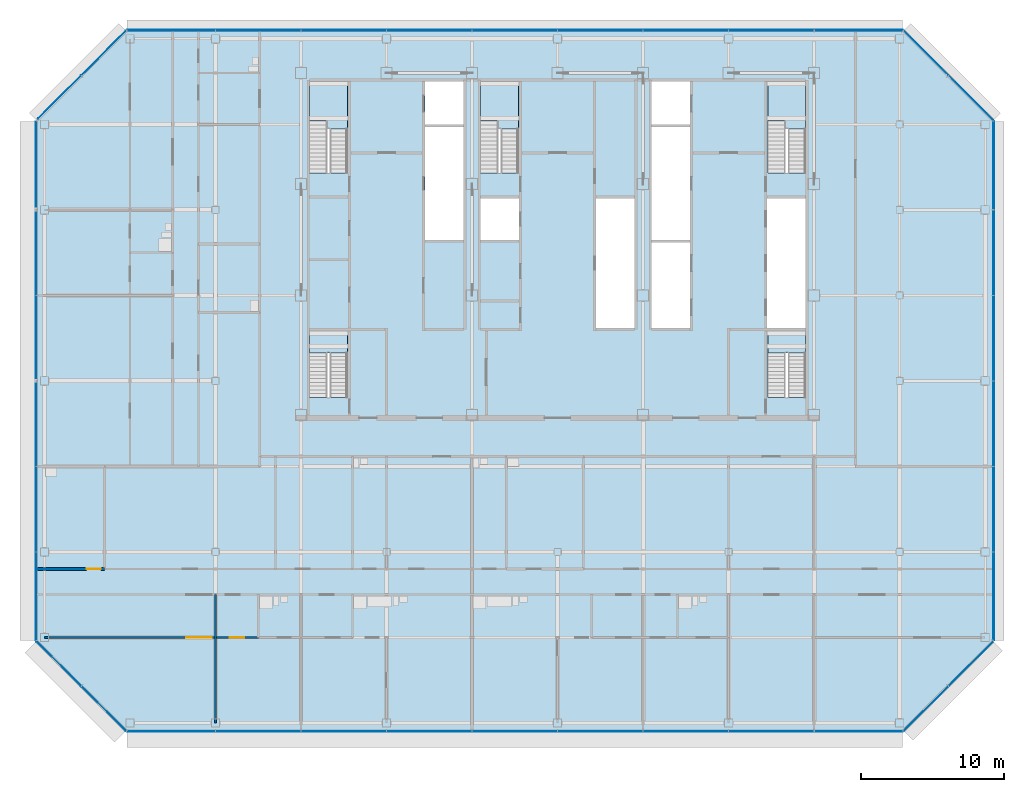
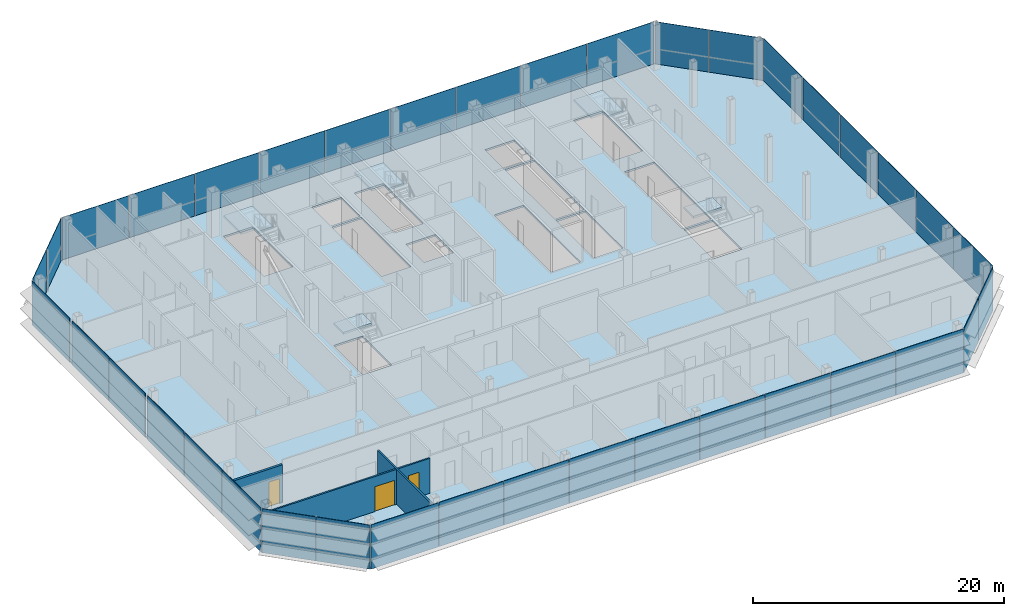
# One storey, part 20 of 29: 38 plates, 6 slabs, 3 doors, 3 walls, 3 openings, 13 elements without a shape of their own.
"""IFC4 building model written with IfcOpenShell, lengths in metres."""

from ifc_helpers import new_model, si_unit, direction, frame, frame_2d, origin, origin_2d, place, context, subcontext, project, spatial, polyline, rectangle, outline, extrude, material, layer, layer_set, type_object, element, fill, aggregate, save


model = new_model("IFC4")

# Units and contexts
model_context = context("Model", 3, precision=1e-05, world=origin(), true_north=direction((0.0, 1.0)))
body_context = subcontext(model_context, "Body", "Model", "MODEL_VIEW")
ifc_project = project(units=[si_unit("LENGTHUNIT", "METRE"), si_unit("AREAUNIT", "SQUARE_METRE"), si_unit("VOLUMEUNIT", "CUBIC_METRE"), si_unit("PLANEANGLEUNIT", "RADIAN"), si_unit("MASSUNIT", "GRAM", prefix="KILO")], contexts=[model_context])

# Site, building, storey
site_placement = place(None, origin())
site = spatial("IfcSite", under=ifc_project, at=site_placement, CompositionType="ELEMENT")
building_placement = place(site_placement, origin())
building = spatial("IfcBuilding", under=site, at=building_placement, Name="Sorahane Residences", CompositionType="ELEMENT")
storey_placement = place(building_placement, frame((0.0, 0.0, 277.39990234375)))
storey = spatial("IfcBuildingStorey", under=building, at=storey_placement, Name="L66", CompositionType="ELEMENT", Elevation=277.39990234375)

# Slab
ifc_material_1 = material(Name="Concrete C35", Category="concrete")
ifc_layer_1 = layer(ifc_material_1, 0.179931640625)
ifc_layer_set_1 = layer_set([ifc_layer_1], Name="Composite floor slab 180 mm Concrete C35")
slab_type_1 = type_object("IfcSlabType", Name="Composite floor slab 180 mm Concrete C35", PredefinedType="FLOOR", material=ifc_layer_set_1)
slab_1_placement = place(storey_placement, frame((0.0, 0.0, -0.179931640625)))
element("IfcSlab", 1, at=slab_1_placement, inside=storey, type_object=slab_type_1, Name="Slab L66", PredefinedType="FLOOR", context=body_context, shape_type="SweptSolid", body=[
    extrude(outline(polyline([(-6.24853515625, -0.60009765625), (-12.60009765625, 5.75146484375), (-12.60009765625, 42.24853515625), (-6.24853515625, 48.60009765625), (48.24853515625, 48.60009765625), (54.60009765625, 42.24853515625), (54.60009765625, 5.75146484375), (48.24853515625, -0.60009765625), (-6.24853515625, -0.60009765625)]), holes=[polyline([(38.699951171875, 27.699951171875), (41.39990234375, 27.699951171875), (41.39990234375, 36.800048828125), (38.699951171875, 36.800048828125), (38.699951171875, 27.699951171875)]), polyline([(30.60009765625, 27.699951171875), (33.300048828125, 27.699951171875), (33.300048828125, 33.699951171875), (30.60009765625, 33.699951171875), (30.60009765625, 27.699951171875)]), polyline([(30.60009765625, 42.0), (33.300048828125, 42.0), (33.300048828125, 45.0), (30.60009765625, 45.0), (30.60009765625, 42.0)]), polyline([(14.699951171875, 42.0), (17.39990234375, 42.0), (17.39990234375, 45.0), (14.699951171875, 45.0), (14.699951171875, 42.0)]), polyline([(9.25, 38.60009765625), (9.25, 45.0), (6.60009765625, 45.0), (6.60009765625, 38.60009765625), (9.25, 38.60009765625)]), polyline([(41.39990234375, 38.60009765625), (41.39990234375, 45.0), (38.75, 45.0), (38.75, 38.60009765625), (41.39990234375, 38.60009765625)]), polyline([(21.25, 38.60009765625), (21.25, 45.0), (18.60009765625, 45.0), (18.60009765625, 38.60009765625), (21.25, 38.60009765625)]), polyline([(9.25, 22.85009765625), (9.25, 27.5), (6.60009765625, 27.5), (6.60009765625, 22.85009765625), (9.25, 22.85009765625)]), polyline([(41.39990234375, 22.85009765625), (41.39990234375, 27.5), (38.75, 27.5), (38.75, 22.85009765625), (41.39990234375, 22.85009765625)]), polyline([(14.699951171875, 33.89990234375), (17.39990234375, 33.89990234375), (17.39990234375, 41.800048828125), (14.699951171875, 41.800048828125), (14.699951171875, 33.89990234375)]), polyline([(30.60009765625, 33.89990234375), (33.300048828125, 33.89990234375), (33.300048828125, 41.800048828125), (30.60009765625, 41.800048828125), (30.60009765625, 33.89990234375)]), polyline([(18.60009765625, 33.89990234375), (21.300048828125, 33.89990234375), (21.300048828125, 36.800048828125), (18.60009765625, 36.800048828125), (18.60009765625, 33.89990234375)]), polyline([(26.699951171875, 27.699951171875), (29.39990234375, 27.699951171875), (29.39990234375, 36.800048828125), (26.699951171875, 36.800048828125), (26.699951171875, 27.699951171875)])]), origin(), (0.0, 0.0, 1.0), 0.179931640625),
])

# Curtain wall, plates
ifc_material_2 = material(Name="Dark low-e glass and black anodised aluminium", Category="aluminium")
curtain_wall_type_1 = type_object("IfcCurtainWallType", Name="Curtain wall CW-1 Typical unitised wall", PredefinedType="NOTDEFINED", material=ifc_material_2)
curtain_wall_1_placement = place(storey_placement, origin())
curtain_wall_1 = element("IfcCurtainWall", 2, at=curtain_wall_1_placement, inside=storey, type_object=curtain_wall_type_1, Name="CW-1 curtain wall L66 S1", PredefinedType="NOTDEFINED")
ifc_material_3 = material(Name="Dark low-e glass with black ceramic frit", Category="glass")
ifc_layer_2 = layer(ifc_material_3, 0.0400390625)
ifc_layer_set_2 = layer_set([ifc_layer_2], Name="Curtain wall glass panel dark low-e with black frit spandrel band")
plate_type = type_object("IfcPlateType", Name="Curtain wall glass panel dark low-e with black frit spandrel band", PredefinedType="CURTAIN_PANEL", material=ifc_layer_set_2)
plate_1_placement = place(storey_placement, frame((-3.11181640625, -0.60009765625, -0.1796875), z_axis=(0.0, 0.0, 1.0), x_axis=(1.0, 0.0, 0.0)))
plate_1 = element("IfcPlate", 3, at=plate_1_placement, type_object=plate_type, Name="CW-1 glass panel L66 S1.1", PredefinedType="CURTAIN_PANEL", context=body_context, shape_type="SweptSolid", body=[
    extrude(rectangle(XDim=6.173583984375, YDim=0.0400390625, at=origin_2d()), origin(), (0.0, 0.0, 1.0), 4.280029296875),
])
plate_2_placement = place(storey_placement, frame((3.0, -0.60009765625, -0.1796875), z_axis=(0.0, 0.0, 1.0), x_axis=(1.0, 0.0, 0.0)))
plate_2 = element("IfcPlate", 4, at=plate_2_placement, type_object=plate_type, Name="CW-1 glass panel L66 S1.2", PredefinedType="CURTAIN_PANEL", context=body_context, shape_type="SweptSolid", body=[
    extrude(rectangle(XDim=5.949951171875, YDim=0.0400390625, at=origin_2d()), origin(), (0.0, 0.0, 1.0), 4.280029296875),
])
plate_3_placement = place(storey_placement, frame((9.0, -0.60009765625, -0.1796875), z_axis=(0.0, 0.0, 1.0), x_axis=(1.0, 0.0, 0.0)))
plate_3 = element("IfcPlate", 5, at=plate_3_placement, type_object=plate_type, Name="CW-1 glass panel L66 S1.3", PredefinedType="CURTAIN_PANEL", context=body_context, shape_type="SweptSolid", body=[
    extrude(rectangle(XDim=5.949951171875, YDim=0.0400390625, at=origin_2d()), origin(), (0.0, 0.0, 1.0), 4.280029296875),
])
plate_4_placement = place(storey_placement, frame((15.0, -0.60009765625, -0.1796875), z_axis=(0.0, 0.0, 1.0), x_axis=(1.0, 0.0, 0.0)))
plate_4 = element("IfcPlate", 6, at=plate_4_placement, type_object=plate_type, Name="CW-1 glass panel L66 S1.4", PredefinedType="CURTAIN_PANEL", context=body_context, shape_type="SweptSolid", body=[
    extrude(rectangle(XDim=5.949951171875, YDim=0.0400390625, at=origin_2d()), origin(), (0.0, 0.0, 1.0), 4.280029296875),
])
plate_5_placement = place(storey_placement, frame((21.0, -0.60009765625, -0.1796875), z_axis=(0.0, 0.0, 1.0), x_axis=(1.0, 0.0, 0.0)))
plate_5 = element("IfcPlate", 7, at=plate_5_placement, type_object=plate_type, Name="CW-1 glass panel L66 S1.5", PredefinedType="CURTAIN_PANEL", context=body_context, shape_type="SweptSolid", body=[
    extrude(rectangle(XDim=5.949951171875, YDim=0.0400390625, at=origin_2d()), origin(), (0.0, 0.0, 1.0), 4.280029296875),
])
plate_6_placement = place(storey_placement, frame((27.0, -0.60009765625, -0.1796875), z_axis=(0.0, 0.0, 1.0), x_axis=(1.0, 0.0, 0.0)))
plate_6 = element("IfcPlate", 8, at=plate_6_placement, type_object=plate_type, Name="CW-1 glass panel L66 S1.6", PredefinedType="CURTAIN_PANEL", context=body_context, shape_type="SweptSolid", body=[
    extrude(rectangle(XDim=5.949951171875, YDim=0.0400390625, at=origin_2d()), origin(), (0.0, 0.0, 1.0), 4.280029296875),
])
plate_7_placement = place(storey_placement, frame((33.0, -0.60009765625, -0.1796875), z_axis=(0.0, 0.0, 1.0), x_axis=(1.0, 0.0, 0.0)))
plate_7 = element("IfcPlate", 9, at=plate_7_placement, type_object=plate_type, Name="CW-1 glass panel L66 S1.7", PredefinedType="CURTAIN_PANEL", context=body_context, shape_type="SweptSolid", body=[
    extrude(rectangle(XDim=5.949951171875, YDim=0.0400390625, at=origin_2d()), origin(), (0.0, 0.0, 1.0), 4.280029296875),
])
plate_8_placement = place(storey_placement, frame((39.0, -0.60009765625, -0.1796875), z_axis=(0.0, 0.0, 1.0), x_axis=(1.0, 0.0, 0.0)))
plate_8 = element("IfcPlate", 10, at=plate_8_placement, type_object=plate_type, Name="CW-1 glass panel L66 S1.8", PredefinedType="CURTAIN_PANEL", context=body_context, shape_type="SweptSolid", body=[
    extrude(rectangle(XDim=5.949951171875, YDim=0.0400390625, at=origin_2d()), origin(), (0.0, 0.0, 1.0), 4.280029296875),
])
plate_9_placement = place(storey_placement, frame((45.11181640625, -0.60009765625, -0.1796875), z_axis=(0.0, 0.0, 1.0), x_axis=(1.0, 0.0, 0.0)))
plate_9 = element("IfcPlate", 11, at=plate_9_placement, type_object=plate_type, Name="CW-1 glass panel L66 S1.9", PredefinedType="CURTAIN_PANEL", context=body_context, shape_type="SweptSolid", body=[
    extrude(rectangle(XDim=6.173583984375, YDim=0.0400390625, at=origin_2d()), origin(), (0.0, 0.0, 1.0), 4.280029296875),
])
aggregate(curtain_wall_1, [plate_1, plate_2, plate_3, plate_4, plate_5, plate_6, plate_7, plate_8, plate_9])

ifc_material_4 = material(Name="Dark low-e glass and black anodised aluminium", Category="aluminium")
curtain_wall_type_2 = type_object("IfcCurtainWallType", Name="Curtain wall CW-2 Chamfer unitised wall", PredefinedType="NOTDEFINED", material=ifc_material_4)
curtain_wall_2_placement = place(storey_placement, origin())
curtain_wall_2 = element("IfcCurtainWall", 12, at=curtain_wall_2_placement, inside=storey, type_object=curtain_wall_type_2, Name="CW-2 curtain wall L66 SE1", PredefinedType="NOTDEFINED")
plate_10_placement = place(storey_placement, frame((49.84521484375, 0.996826171875, -0.1796875), z_axis=(0.0, 0.0, 1.0), x_axis=(0.707106781187, 0.707106781187, 0.0)))
plate_10 = element("IfcPlate", 13, at=plate_10_placement, type_object=plate_type, Name="CW-2 glass panel L66 SE1.1", PredefinedType="CURTAIN_PANEL", context=body_context, shape_type="SweptSolid", body=[
    extrude(rectangle(XDim=4.416259765625, YDim=0.0400390625, at=origin_2d()), origin(), (0.0, 0.0, 1.0), 4.280029296875),
])
plate_11_placement = place(storey_placement, frame((53.003173828125, 4.15478515625, -0.1796875), z_axis=(0.0, 0.0, 1.0), x_axis=(0.707106781187, 0.707106781187, 0.0)))
plate_11 = element("IfcPlate", 14, at=plate_11_placement, type_object=plate_type, Name="CW-2 glass panel L66 SE1.2", PredefinedType="CURTAIN_PANEL", context=body_context, shape_type="SweptSolid", body=[
    extrude(rectangle(XDim=4.416259765625, YDim=0.0400390625, at=origin_2d()), origin(), (0.0, 0.0, 1.0), 4.280029296875),
])
aggregate(curtain_wall_2, [plate_10, plate_11])

curtain_wall_3_placement = place(storey_placement, origin())
curtain_wall_3 = element("IfcCurtainWall", 15, at=curtain_wall_3_placement, inside=storey, type_object=curtain_wall_type_1, Name="CW-1 curtain wall L66 E1", PredefinedType="NOTDEFINED")
plate_12_placement = place(storey_placement, frame((54.60009765625, 8.88818359375, -0.1796875), z_axis=(0.0, 0.0, 1.0), x_axis=(0.0, 1.0, 0.0)))
plate_12 = element("IfcPlate", 16, at=plate_12_placement, type_object=plate_type, Name="CW-1 glass panel L66 E1.1", PredefinedType="CURTAIN_PANEL", context=body_context, shape_type="SweptSolid", body=[
    extrude(rectangle(XDim=6.173583984375, YDim=0.0400390625, at=origin_2d()), origin(), (0.0, 0.0, 1.0), 4.280029296875),
])
plate_13_placement = place(storey_placement, frame((54.60009765625, 15.0, -0.1796875), z_axis=(0.0, 0.0, 1.0), x_axis=(0.0, 1.0, 0.0)))
plate_13 = element("IfcPlate", 17, at=plate_13_placement, type_object=plate_type, Name="CW-1 glass panel L66 E1.2", PredefinedType="CURTAIN_PANEL", context=body_context, shape_type="SweptSolid", body=[
    extrude(rectangle(XDim=5.949951171875, YDim=0.0400390625, at=origin_2d()), origin(), (0.0, 0.0, 1.0), 4.280029296875),
])
plate_14_placement = place(storey_placement, frame((54.60009765625, 21.0, -0.1796875), z_axis=(0.0, 0.0, 1.0), x_axis=(0.0, 1.0, 0.0)))
plate_14 = element("IfcPlate", 18, at=plate_14_placement, type_object=plate_type, Name="CW-1 glass panel L66 E1.3", PredefinedType="CURTAIN_PANEL", context=body_context, shape_type="SweptSolid", body=[
    extrude(rectangle(XDim=5.949951171875, YDim=0.0400390625, at=origin_2d()), origin(), (0.0, 0.0, 1.0), 4.280029296875),
])
plate_15_placement = place(storey_placement, frame((54.60009765625, 27.0, -0.1796875), z_axis=(0.0, 0.0, 1.0), x_axis=(0.0, 1.0, 0.0)))
plate_15 = element("IfcPlate", 19, at=plate_15_placement, type_object=plate_type, Name="CW-1 glass panel L66 E1.4", PredefinedType="CURTAIN_PANEL", context=body_context, shape_type="SweptSolid", body=[
    extrude(rectangle(XDim=5.949951171875, YDim=0.0400390625, at=origin_2d()), origin(), (0.0, 0.0, 1.0), 4.280029296875),
])
plate_16_placement = place(storey_placement, frame((54.60009765625, 33.0, -0.1796875), z_axis=(0.0, 0.0, 1.0), x_axis=(0.0, 1.0, 0.0)))
plate_16 = element("IfcPlate", 20, at=plate_16_placement, type_object=plate_type, Name="CW-1 glass panel L66 E1.5", PredefinedType="CURTAIN_PANEL", context=body_context, shape_type="SweptSolid", body=[
    extrude(rectangle(XDim=5.949951171875, YDim=0.0400390625, at=origin_2d()), origin(), (0.0, 0.0, 1.0), 4.280029296875),
])
plate_17_placement = place(storey_placement, frame((54.60009765625, 39.11181640625, -0.1796875), z_axis=(0.0, 0.0, 1.0), x_axis=(0.0, 1.0, 0.0)))
plate_17 = element("IfcPlate", 21, at=plate_17_placement, type_object=plate_type, Name="CW-1 glass panel L66 E1.6", PredefinedType="CURTAIN_PANEL", context=body_context, shape_type="SweptSolid", body=[
    extrude(rectangle(XDim=6.173583984375, YDim=0.0400390625, at=origin_2d()), origin(), (0.0, 0.0, 1.0), 4.280029296875),
])
aggregate(curtain_wall_3, [plate_12, plate_13, plate_14, plate_15, plate_16, plate_17])

curtain_wall_4_placement = place(storey_placement, origin())
curtain_wall_4 = element("IfcCurtainWall", 22, at=curtain_wall_4_placement, inside=storey, type_object=curtain_wall_type_2, Name="CW-2 curtain wall L66 NE1", PredefinedType="NOTDEFINED")
plate_18_placement = place(storey_placement, frame((53.003173828125, 43.84521484375, -0.1796875), z_axis=(0.0, 0.0, 1.0), x_axis=(-0.707106781187, 0.707106781187, 0.0)))
plate_18 = element("IfcPlate", 23, at=plate_18_placement, type_object=plate_type, Name="CW-2 glass panel L66 NE1.1", PredefinedType="CURTAIN_PANEL", context=body_context, shape_type="SweptSolid", body=[
    extrude(rectangle(XDim=4.416259765625, YDim=0.0400390625, at=origin_2d()), origin(), (0.0, 0.0, 1.0), 4.280029296875),
])
plate_19_placement = place(storey_placement, frame((49.84521484375, 47.003173828125, -0.1796875), z_axis=(0.0, 0.0, 1.0), x_axis=(-0.707106781187, 0.707106781187, 0.0)))
plate_19 = element("IfcPlate", 24, at=plate_19_placement, type_object=plate_type, Name="CW-2 glass panel L66 NE1.2", PredefinedType="CURTAIN_PANEL", context=body_context, shape_type="SweptSolid", body=[
    extrude(rectangle(XDim=4.416259765625, YDim=0.0400390625, at=origin_2d()), origin(), (0.0, 0.0, 1.0), 4.280029296875),
])
aggregate(curtain_wall_4, [plate_18, plate_19])

curtain_wall_5_placement = place(storey_placement, origin())
curtain_wall_5 = element("IfcCurtainWall", 25, at=curtain_wall_5_placement, inside=storey, type_object=curtain_wall_type_1, Name="CW-1 curtain wall L66 N1", PredefinedType="NOTDEFINED")
plate_20_placement = place(storey_placement, frame((45.11181640625, 48.60009765625, -0.1796875), z_axis=(0.0, 0.0, 1.0), x_axis=(-1.0, 0.0, 0.0)))
plate_20 = element("IfcPlate", 26, at=plate_20_placement, type_object=plate_type, Name="CW-1 glass panel L66 N1.1", PredefinedType="CURTAIN_PANEL", context=body_context, shape_type="SweptSolid", body=[
    extrude(rectangle(XDim=6.173583984375, YDim=0.0400390625, at=origin_2d()), origin(), (0.0, 0.0, 1.0), 4.280029296875),
])
plate_21_placement = place(storey_placement, frame((39.0, 48.60009765625, -0.1796875), z_axis=(0.0, 0.0, 1.0), x_axis=(-1.0, 0.0, 0.0)))
plate_21 = element("IfcPlate", 27, at=plate_21_placement, type_object=plate_type, Name="CW-1 glass panel L66 N1.2", PredefinedType="CURTAIN_PANEL", context=body_context, shape_type="SweptSolid", body=[
    extrude(rectangle(XDim=5.949951171875, YDim=0.0400390625, at=origin_2d()), origin(), (0.0, 0.0, 1.0), 4.280029296875),
])
plate_22_placement = place(storey_placement, frame((33.0, 48.60009765625, -0.1796875), z_axis=(0.0, 0.0, 1.0), x_axis=(-1.0, 0.0, 0.0)))
plate_22 = element("IfcPlate", 28, at=plate_22_placement, type_object=plate_type, Name="CW-1 glass panel L66 N1.3", PredefinedType="CURTAIN_PANEL", context=body_context, shape_type="SweptSolid", body=[
    extrude(rectangle(XDim=5.949951171875, YDim=0.0400390625, at=origin_2d()), origin(), (0.0, 0.0, 1.0), 4.280029296875),
])
plate_23_placement = place(storey_placement, frame((27.0, 48.60009765625, -0.1796875), z_axis=(0.0, 0.0, 1.0), x_axis=(-1.0, 0.0, 0.0)))
plate_23 = element("IfcPlate", 29, at=plate_23_placement, type_object=plate_type, Name="CW-1 glass panel L66 N1.4", PredefinedType="CURTAIN_PANEL", context=body_context, shape_type="SweptSolid", body=[
    extrude(rectangle(XDim=5.949951171875, YDim=0.0400390625, at=origin_2d()), origin(), (0.0, 0.0, 1.0), 4.280029296875),
])
plate_24_placement = place(storey_placement, frame((21.0, 48.60009765625, -0.1796875), z_axis=(0.0, 0.0, 1.0), x_axis=(-1.0, 0.0, 0.0)))
plate_24 = element("IfcPlate", 30, at=plate_24_placement, type_object=plate_type, Name="CW-1 glass panel L66 N1.5", PredefinedType="CURTAIN_PANEL", context=body_context, shape_type="SweptSolid", body=[
    extrude(rectangle(XDim=5.949951171875, YDim=0.0400390625, at=origin_2d()), origin(), (0.0, 0.0, 1.0), 4.280029296875),
])
plate_25_placement = place(storey_placement, frame((15.0, 48.60009765625, -0.1796875), z_axis=(0.0, 0.0, 1.0), x_axis=(-1.0, 0.0, 0.0)))
plate_25 = element("IfcPlate", 31, at=plate_25_placement, type_object=plate_type, Name="CW-1 glass panel L66 N1.6", PredefinedType="CURTAIN_PANEL", context=body_context, shape_type="SweptSolid", body=[
    extrude(rectangle(XDim=5.949951171875, YDim=0.0400390625, at=origin_2d()), origin(), (0.0, 0.0, 1.0), 4.280029296875),
])
plate_26_placement = place(storey_placement, frame((9.0, 48.60009765625, -0.1796875), z_axis=(0.0, 0.0, 1.0), x_axis=(-1.0, 0.0, 0.0)))
plate_26 = element("IfcPlate", 32, at=plate_26_placement, type_object=plate_type, Name="CW-1 glass panel L66 N1.7", PredefinedType="CURTAIN_PANEL", context=body_context, shape_type="SweptSolid", body=[
    extrude(rectangle(XDim=5.949951171875, YDim=0.0400390625, at=origin_2d()), origin(), (0.0, 0.0, 1.0), 4.280029296875),
])
plate_27_placement = place(storey_placement, frame((3.0, 48.60009765625, -0.1796875), z_axis=(0.0, 0.0, 1.0), x_axis=(-1.0, 0.0, 0.0)))
plate_27 = element("IfcPlate", 33, at=plate_27_placement, type_object=plate_type, Name="CW-1 glass panel L66 N1.8", PredefinedType="CURTAIN_PANEL", context=body_context, shape_type="SweptSolid", body=[
    extrude(rectangle(XDim=5.949951171875, YDim=0.0400390625, at=origin_2d()), origin(), (0.0, 0.0, 1.0), 4.280029296875),
])
plate_28_placement = place(storey_placement, frame((-3.11181640625, 48.60009765625, -0.1796875), z_axis=(0.0, 0.0, 1.0), x_axis=(-1.0, 0.0, 0.0)))
plate_28 = element("IfcPlate", 34, at=plate_28_placement, type_object=plate_type, Name="CW-1 glass panel L66 N1.9", PredefinedType="CURTAIN_PANEL", context=body_context, shape_type="SweptSolid", body=[
    extrude(rectangle(XDim=6.173583984375, YDim=0.0400390625, at=origin_2d()), origin(), (0.0, 0.0, 1.0), 4.280029296875),
])
aggregate(curtain_wall_5, [plate_20, plate_21, plate_22, plate_23, plate_24, plate_25, plate_26, plate_27, plate_28])

curtain_wall_6_placement = place(storey_placement, origin())
curtain_wall_6 = element("IfcCurtainWall", 35, at=curtain_wall_6_placement, inside=storey, type_object=curtain_wall_type_2, Name="CW-2 curtain wall L66 NW1", PredefinedType="NOTDEFINED")
plate_29_placement = place(storey_placement, frame((-7.84521484375, 47.003173828125, -0.1796875), z_axis=(0.0, 0.0, 1.0), x_axis=(-0.707106781187, -0.707106781187, 0.0)))
plate_29 = element("IfcPlate", 36, at=plate_29_placement, type_object=plate_type, Name="CW-2 glass panel L66 NW1.1", PredefinedType="CURTAIN_PANEL", context=body_context, shape_type="SweptSolid", body=[
    extrude(rectangle(XDim=4.416259765625, YDim=0.0400390625, at=origin_2d()), origin(), (0.0, 0.0, 1.0), 4.280029296875),
])
plate_30_placement = place(storey_placement, frame((-10.94140625, 43.9072265625, -0.1796875), z_axis=(0.0, 0.0, 1.0), x_axis=(-0.707106781187, -0.707106781187, 0.0)))
plate_30 = element("IfcPlate", 37, at=plate_30_placement, type_object=plate_type, Name="CW-2 glass panel L66 NW1.2", PredefinedType="CURTAIN_PANEL", context=body_context, shape_type="SweptSolid", body=[
    extrude(rectangle(XDim=4.2412109375, YDim=0.0400390625, at=origin_2d()), origin(), (0.0, 0.0, 1.0), 4.280029296875),
])
aggregate(curtain_wall_6, [plate_29, plate_30])

curtain_wall_7_placement = place(storey_placement, origin())
curtain_wall_7 = element("IfcCurtainWall", 38, at=curtain_wall_7_placement, inside=storey, type_object=curtain_wall_type_1, Name="CW-1 curtain wall L66 W1", PredefinedType="NOTDEFINED")
plate_31_placement = place(storey_placement, frame((-12.60009765625, 39.19921875, -0.1796875), z_axis=(0.0, 0.0, 1.0), x_axis=(0.0, -1.0, 0.0)))
plate_31 = element("IfcPlate", 39, at=plate_31_placement, type_object=plate_type, Name="CW-1 glass panel L66 W1.1", PredefinedType="CURTAIN_PANEL", context=body_context, shape_type="SweptSolid", body=[
    extrude(rectangle(XDim=5.99853515625, YDim=0.0400390625, at=origin_2d()), origin(), (0.0, 0.0, 1.0), 4.280029296875),
])
plate_32_placement = place(storey_placement, frame((-12.60009765625, 32.91259765625, -0.1796875), z_axis=(0.0, 0.0, 1.0), x_axis=(0.0, -1.0, 0.0)))
plate_32 = element("IfcPlate", 40, at=plate_32_placement, type_object=plate_type, Name="CW-1 glass panel L66 W1.2", PredefinedType="CURTAIN_PANEL", context=body_context, shape_type="SweptSolid", body=[
    extrude(rectangle(XDim=5.77490234375, YDim=0.0400390625, at=origin_2d()), origin(), (0.0, 0.0, 1.0), 4.280029296875),
])
plate_33_placement = place(storey_placement, frame((-12.60009765625, 27.08740234375, -0.1796875), z_axis=(0.0, 0.0, 1.0), x_axis=(0.0, -1.0, 0.0)))
plate_33 = element("IfcPlate", 41, at=plate_33_placement, type_object=plate_type, Name="CW-1 glass panel L66 W1.3", PredefinedType="CURTAIN_PANEL", context=body_context, shape_type="SweptSolid", body=[
    extrude(rectangle(XDim=5.77490234375, YDim=0.0400390625, at=origin_2d()), origin(), (0.0, 0.0, 1.0), 4.280029296875),
])
plate_34_placement = place(storey_placement, frame((-12.60009765625, 20.91259765625, -0.1796875), z_axis=(0.0, 0.0, 1.0), x_axis=(0.0, -1.0, 0.0)))
plate_34 = element("IfcPlate", 42, at=plate_34_placement, type_object=plate_type, Name="CW-1 glass panel L66 W1.4", PredefinedType="CURTAIN_PANEL", context=body_context, shape_type="SweptSolid", body=[
    extrude(rectangle(XDim=5.77490234375, YDim=0.0400390625, at=origin_2d()), origin(), (0.0, 0.0, 1.0), 4.280029296875),
])
plate_35_placement = place(storey_placement, frame((-12.60009765625, 15.0, -0.1796875), z_axis=(0.0, 0.0, 1.0), x_axis=(0.0, -1.0, 0.0)))
plate_35 = element("IfcPlate", 43, at=plate_35_placement, type_object=plate_type, Name="CW-1 glass panel L66 W1.5", PredefinedType="CURTAIN_PANEL", context=body_context, shape_type="SweptSolid", body=[
    extrude(rectangle(XDim=5.949951171875, YDim=0.0400390625, at=origin_2d()), origin(), (0.0, 0.0, 1.0), 4.280029296875),
])
plate_36_placement = place(storey_placement, frame((-12.60009765625, 8.88818359375, -0.1796875), z_axis=(0.0, 0.0, 1.0), x_axis=(0.0, -1.0, 0.0)))
plate_36 = element("IfcPlate", 44, at=plate_36_placement, type_object=plate_type, Name="CW-1 glass panel L66 W1.6", PredefinedType="CURTAIN_PANEL", context=body_context, shape_type="SweptSolid", body=[
    extrude(rectangle(XDim=6.173583984375, YDim=0.0400390625, at=origin_2d()), origin(), (0.0, 0.0, 1.0), 4.280029296875),
])
aggregate(curtain_wall_7, [plate_31, plate_32, plate_33, plate_34, plate_35, plate_36])

curtain_wall_8_placement = place(storey_placement, origin())
curtain_wall_8 = element("IfcCurtainWall", 45, at=curtain_wall_8_placement, inside=storey, type_object=curtain_wall_type_2, Name="CW-2 curtain wall L66 SW1", PredefinedType="NOTDEFINED")
plate_37_placement = place(storey_placement, frame((-11.003173828125, 4.15478515625, -0.1796875), z_axis=(0.0, 0.0, 1.0), x_axis=(0.707106781187, -0.707106781187, 0.0)))
plate_37 = element("IfcPlate", 46, at=plate_37_placement, type_object=plate_type, Name="CW-2 glass panel L66 SW1.1", PredefinedType="CURTAIN_PANEL", context=body_context, shape_type="SweptSolid", body=[
    extrude(rectangle(XDim=4.416259765625, YDim=0.0400390625, at=origin_2d()), origin(), (0.0, 0.0, 1.0), 4.280029296875),
])
plate_38_placement = place(storey_placement, frame((-7.84521484375, 0.996826171875, -0.1796875), z_axis=(0.0, 0.0, 1.0), x_axis=(0.707106781187, -0.707106781187, 0.0)))
plate_38 = element("IfcPlate", 47, at=plate_38_placement, type_object=plate_type, Name="CW-2 glass panel L66 SW1.2", PredefinedType="CURTAIN_PANEL", context=body_context, shape_type="SweptSolid", body=[
    extrude(rectangle(XDim=4.416259765625, YDim=0.0400390625, at=origin_2d()), origin(), (0.0, 0.0, 1.0), 4.280029296875),
])
aggregate(curtain_wall_8, [plate_37, plate_38])

# Stair, slab
ifc_material_5 = material(Name="Concrete C40", Category="concrete")
stair_type = type_object("IfcStairType", Name="Dog-leg stair 1250 Concrete C40", PredefinedType="HALF_TURN_STAIR", material=ifc_material_5)
stair_1_placement = place(storey_placement, origin())
stair_1 = element("IfcStair", 48, at=stair_1_placement, inside=storey, type_object=stair_type, Name="L66 Stair S1", PredefinedType="HALF_TURN_STAIR")
ifc_material_6 = material(Name="Concrete C40", Category="concrete")
ifc_layer_3 = layer(ifc_material_6, 0.199951171875)
ifc_layer_set_3 = layer_set([ifc_layer_3], Name="Stair landing 200 Concrete C40")
slab_type_2 = type_object("IfcSlabType", Name="Stair landing 200 Concrete C40", PredefinedType="LANDING", material=ifc_layer_set_3)
slab_2_placement = place(storey_placement, frame((0.0, 0.0, 1.830810546875)))
slab_2 = element("IfcSlab", 49, at=slab_2_placement, type_object=slab_type_2, Name="S1 landing 1", PredefinedType="LANDING", context=body_context, shape_type="SweptSolid", body=[
    extrude(outline(polyline([(9.25, 41.679931640625), (9.25, 45.0), (6.60009765625, 45.0), (6.60009765625, 42.239990234375), (7.85009765625, 42.239990234375), (7.85009765625, 41.679931640625), (9.25, 41.679931640625)])), origin(), (0.0, 0.0, 1.0), 0.199951171875),
])
aggregate(stair_1, [slab_2])

stair_2_placement = place(storey_placement, origin())
stair_2 = element("IfcStair", 50, at=stair_2_placement, inside=storey, type_object=stair_type, Name="L66 Stair S2", PredefinedType="HALF_TURN_STAIR")
slab_3_placement = place(storey_placement, frame((0.0, 0.0, 1.830810546875)))
slab_3 = element("IfcSlab", 51, at=slab_3_placement, type_object=slab_type_2, Name="S2 landing 1", PredefinedType="LANDING", context=body_context, shape_type="SweptSolid", body=[
    extrude(outline(polyline([(41.39990234375, 41.679931640625), (41.39990234375, 45.0), (38.75, 45.0), (38.75, 42.239990234375), (40.0, 42.239990234375), (40.0, 41.679931640625), (41.39990234375, 41.679931640625)])), origin(), (0.0, 0.0, 1.0), 0.199951171875),
])
aggregate(stair_2, [slab_3])

stair_3_placement = place(storey_placement, origin())
stair_3 = element("IfcStair", 52, at=stair_3_placement, inside=storey, type_object=stair_type, Name="L66 Stair S3", PredefinedType="HALF_TURN_STAIR")
slab_4_placement = place(storey_placement, frame((0.0, 0.0, 1.830810546875)))
slab_4 = element("IfcSlab", 53, at=slab_4_placement, type_object=slab_type_2, Name="S3 landing 1", PredefinedType="LANDING", context=body_context, shape_type="SweptSolid", body=[
    extrude(outline(polyline([(21.25, 41.679931640625), (21.25, 45.0), (18.60009765625, 45.0), (18.60009765625, 42.239990234375), (19.85009765625, 42.239990234375), (19.85009765625, 41.679931640625), (21.25, 41.679931640625)])), origin(), (0.0, 0.0, 1.0), 0.199951171875),
])
aggregate(stair_3, [slab_4])

stair_4_placement = place(storey_placement, origin())
stair_4 = element("IfcStair", 54, at=stair_4_placement, inside=storey, type_object=stair_type, Name="L66 Stair S4", PredefinedType="HALF_TURN_STAIR")
slab_5_placement = place(storey_placement, frame((0.0, 0.0, 2.0)))
slab_5 = element("IfcSlab", 55, at=slab_5_placement, type_object=slab_type_2, Name="S4 landing 1", PredefinedType="LANDING", context=body_context, shape_type="SweptSolid", body=[
    extrude(outline(polyline([(9.25, 25.969970703125), (9.25, 27.5), (6.60009765625, 27.5), (6.60009765625, 25.969970703125), (9.25, 25.969970703125)])), origin(), (0.0, 0.0, 1.0), 0.2001953125),
])
aggregate(stair_4, [slab_5])

stair_5_placement = place(storey_placement, origin())
stair_5 = element("IfcStair", 56, at=stair_5_placement, inside=storey, type_object=stair_type, Name="L66 Stair S5", PredefinedType="HALF_TURN_STAIR")
slab_6_placement = place(storey_placement, frame((0.0, 0.0, 2.0)))
slab_6 = element("IfcSlab", 57, at=slab_6_placement, type_object=slab_type_2, Name="S5 landing 1", PredefinedType="LANDING", context=body_context, shape_type="SweptSolid", body=[
    extrude(outline(polyline([(41.39990234375, 25.969970703125), (41.39990234375, 27.5), (38.75, 27.5), (38.75, 25.969970703125), (41.39990234375, 25.969970703125)])), origin(), (0.0, 0.0, 1.0), 0.2001953125),
])
aggregate(stair_5, [slab_6])

# Wall, opening, door
ifc_material_7 = material(Name="Concrete blockwork C20 wall", Category="masonry")
ifc_layer_4 = layer(ifc_material_7, 0.199951171875)
ifc_layer_set_4 = layer_set([ifc_layer_4], Name="Kitchen wall 200 EI 180")
wall_type_1 = type_object("IfcWallType", Name="Kitchen wall 200 EI 180", PredefinedType="SOLIDWALL", material=ifc_layer_set_4)
wall_1_placement = place(storey_placement, frame((-12.60009765625, 10.800048828125, 0.0), z_axis=(0.0, 0.0, 1.0), x_axis=(1.0, 0.0, 0.0)))
wall_1 = element("IfcWall", 58, at=wall_1_placement, inside=storey, type_object=wall_type_1, Name="L66 kitchen wall", PredefinedType="SOLIDWALL", context=body_context, shape_type="SweptSolid", body=[
    extrude(rectangle(XDim=4.800048828125, YDim=0.199951171875, at=frame_2d((2.39990234375, 0.0))), origin(), (0.0, 0.0, 1.0), 3.650146484375),
])
opening_1_placement = place(wall_1_placement, frame((3.550048828125, 0.0, 0.0)))
opening_1 = element("IfcOpeningElement", 59, at=opening_1_placement, cuts=wall_1, Name="Opening L66-02", PredefinedType="OPENING", context=body_context, shape_type="SweptSolid", body=[
    extrude(rectangle(XDim=1.0, YDim=2.39990234375, at=frame_2d((0.5, 1.199951171875))), frame((0.0, 0.10986328125, 0.0), z_axis=(0.0, -1.0, 0.0), x_axis=(1.0, 0.0, 0.0)), (0.0, 0.0, 1.0), 0.219970703125),
])
ifc_material_8 = material(Name="Steel", Category="steel")
door_type_1 = type_object("IfcDoorType", Name="Kitchen door 1000x2400 FD120", OperationType="NOTDEFINED", PredefinedType="DOOR", material=ifc_material_8)
door_1_placement = place(opening_1_placement, origin())
door_1 = element("IfcDoor", 60, at=door_1_placement, inside=storey, type_object=door_type_1, Name="Kitchen door L66-02", OperationType="SINGLE_SWING_RIGHT", OverallHeight=2.39990234375, OverallWidth=1.0, PredefinedType="DOOR", context=body_context, shape_type="SweptSolid", body=[
    extrude(rectangle(XDim=1.0, YDim=2.39990234375, at=frame_2d((0.5, 1.199951171875))), frame((0.0, 0.02490234375, 0.0), z_axis=(0.0, -1.0, 0.0), x_axis=(1.0, 0.0, 0.0)), (0.0, 0.0, 1.0), 0.050048828125),
])
fill(opening_1, door_1)

# Wall
ifc_material_9 = material(Name="Gypsum board partition on steel studs", Category="steel")
ifc_layer_5 = layer(ifc_material_9, 0.14990234375)
ifc_layer_set_5 = layer_set([ifc_layer_5], Name="Partition 150 EI 90")
wall_type_2 = type_object("IfcWallType", Name="Partition 150 EI 90", PredefinedType="PARTITIONING", material=ifc_layer_set_5)
wall_2_placement = place(storey_placement, frame((0.0, 0.0, 0.0), z_axis=(0.0, 0.0, 1.0), x_axis=(0.0, 1.0, 0.0)))
element("IfcWall", 61, at=wall_2_placement, inside=storey, type_object=wall_type_2, Name="L66 partition", PredefinedType="PARTITIONING", context=body_context, shape_type="SweptSolid", body=[
    extrude(rectangle(XDim=9.0, YDim=0.14990234375, at=frame_2d((4.5, 0.0))), origin(), (0.0, 0.0, 1.0), 3.400146484375),
])

# Wall, openings, doors
wall_3_placement = place(storey_placement, frame((-12.0, 6.0, 0.0), z_axis=(0.0, 0.0, 1.0), x_axis=(1.0, 0.0, 0.0)))
wall_3 = element("IfcWall", 62, at=wall_3_placement, inside=storey, type_object=wall_type_2, Name="L66 partition", PredefinedType="PARTITIONING", context=body_context, shape_type="SweptSolid", body=[
    extrude(rectangle(XDim=15.0, YDim=0.14990234375, at=frame_2d((7.5, 0.0))), origin(), (0.0, 0.0, 1.0), 3.400146484375),
])
opening_2_placement = place(wall_3_placement, frame((9.949951171875, 0.0, 0.0)))
opening_2 = element("IfcOpeningElement", 63, at=opening_2_placement, cuts=wall_3, Name="Opening L66-09", PredefinedType="OPENING", context=body_context, shape_type="SweptSolid", body=[
    extrude(rectangle(XDim=1.800048828125, YDim=2.39990234375, at=frame_2d((0.89990234375, 1.199951171875))), frame((0.0, 0.0849609375, 0.0), z_axis=(0.0, -1.0, 0.0), x_axis=(1.0, 0.0, 0.0)), (0.0, 0.0, 1.0), 0.169921875),
])
opening_3_placement = place(wall_3_placement, frame((13.0, 0.0, 0.0)))
opening_3 = element("IfcOpeningElement", 64, at=opening_3_placement, cuts=wall_3, Name="Opening L66-10", PredefinedType="OPENING", context=body_context, shape_type="SweptSolid", body=[
    extrude(rectangle(XDim=1.0, YDim=2.39990234375, at=frame_2d((0.5, 1.199951171875))), frame((0.0, 0.0849609375, 0.0), z_axis=(0.0, -1.0, 0.0), x_axis=(1.0, 0.0, 0.0)), (0.0, 0.0, 1.0), 0.169921875),
])
ifc_material_10 = material(Name="Timber veneered fire door", Category="wood")
door_type_2 = type_object("IfcDoorType", Name="Double door 1800x2400 FD30", OperationType="NOTDEFINED", PredefinedType="DOOR", material=ifc_material_10)
door_2_placement = place(opening_2_placement, frame((1.800048828125, 0.0, 0.0), z_axis=(0.0, 0.0, 1.0), x_axis=(-1.0, 0.0, 0.0)))
door_2 = element("IfcDoor", 65, at=door_2_placement, inside=storey, type_object=door_type_2, Name="Double door L66-09", OperationType="SINGLE_SWING_RIGHT", OverallHeight=2.39990234375, OverallWidth=1.800048828125, PredefinedType="DOOR", context=body_context, shape_type="SweptSolid", body=[
    extrude(rectangle(XDim=1.800048828125, YDim=2.39990234375, at=frame_2d((0.89990234375, 1.199951171875))), frame((0.0, 0.02490234375, 0.0), z_axis=(0.0, -1.0, 0.0), x_axis=(1.0, 0.0, 0.0)), (0.0, 0.0, 1.0), 0.050048828125),
])
fill(opening_2, door_2)
ifc_material_11 = material(Name="Timber veneered fire door", Category="wood")
door_type_3 = type_object("IfcDoorType", Name="Room door 1000x2400 FD30", OperationType="NOTDEFINED", PredefinedType="DOOR", material=ifc_material_11)
door_3_placement = place(opening_3_placement, frame((1.0, 0.0, 0.0), z_axis=(0.0, 0.0, 1.0), x_axis=(-1.0, 0.0, 0.0)))
door_3 = element("IfcDoor", 66, at=door_3_placement, inside=storey, type_object=door_type_3, Name="Room door L66-10", OperationType="SINGLE_SWING_LEFT", OverallHeight=2.39990234375, OverallWidth=1.0, PredefinedType="DOOR", context=body_context, shape_type="SweptSolid", body=[
    extrude(rectangle(XDim=1.0, YDim=2.39990234375, at=frame_2d((0.5, 1.199951171875))), frame((0.0, 0.02490234375, 0.0), z_axis=(0.0, -1.0, 0.0), x_axis=(1.0, 0.0, 0.0)), (0.0, 0.0, 1.0), 0.050048828125),
])
fill(opening_3, door_3)

save(model, "model.ifc")
